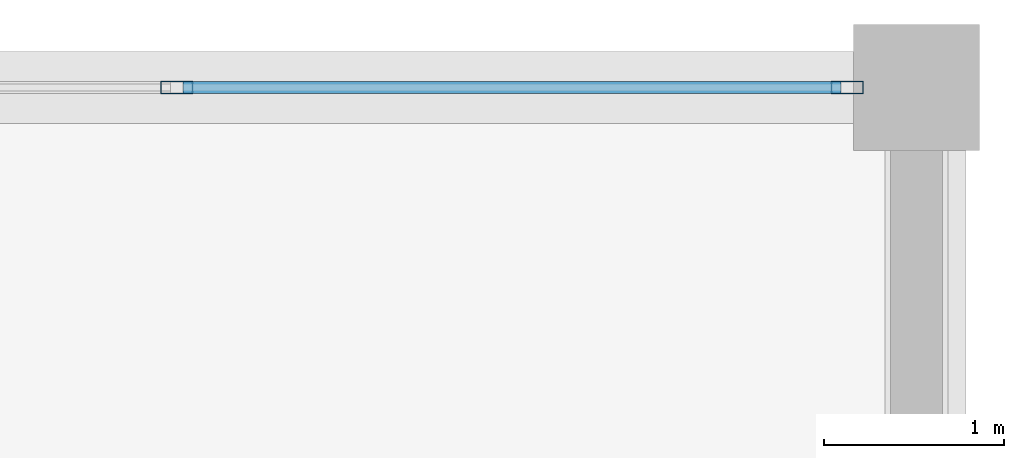
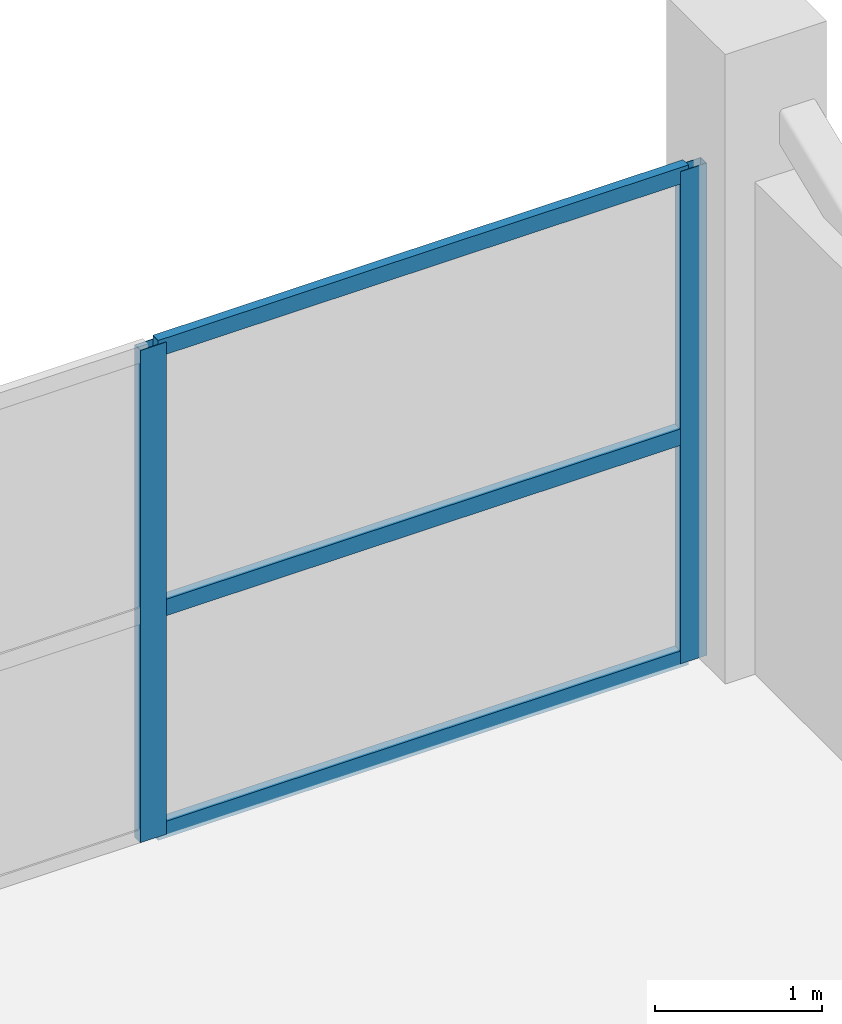
# One storey, part 50 of 69: 5 members, 1 element without a shape of its own.
"""IFC4 building model written with IfcOpenShell, lengths in metres."""

from ifc_helpers import new_model, si_unit, direction, frame, origin, origin_2d, place, context, subcontext, project, spatial, hollow_rectangle, extrude, material, layer, layer_set, material_profile, profile_set, type_object, element, aggregate, save


model = new_model("IFC4")

# Units and contexts
model_context = context("Model", 3, precision=1e-05, world=origin(), true_north=direction((0.0, 1.0)))
body_context = subcontext(model_context, "Body", "Model", "MODEL_VIEW")
ifc_project = project(units=[si_unit("LENGTHUNIT", "METRE"), si_unit("AREAUNIT", "SQUARE_METRE"), si_unit("VOLUMEUNIT", "CUBIC_METRE"), si_unit("PLANEANGLEUNIT", "RADIAN"), si_unit("MASSUNIT", "GRAM", prefix="KILO")], contexts=[model_context])

# Site, building, storey
site_placement = place(None, origin())
site = spatial("IfcSite", under=ifc_project, at=site_placement, CompositionType="ELEMENT")
building_placement = place(site_placement, origin())
building = spatial("IfcBuilding", under=site, at=building_placement, Name="Sillaruma Civic Art Gallery", CompositionType="ELEMENT")
storey_placement = place(building_placement, frame((0.0, 0.0, 42.330078125)))
storey = spatial("IfcBuildingStorey", under=building, at=storey_placement, Name="L08", CompositionType="ELEMENT", Elevation=42.330078125)

# Curtain wall, members
ifc_material = material(Name="Thermally Broken Extruded Aluminium 6063-T6", Category="aluminium")
ifc_layer = layer(ifc_material, 0.179931640625, Name="Thermally Broken Extruded Aluminium 6063-T6")
ifc_layer_set = layer_set([ifc_layer], Name="Thermally Broken Extruded Aluminium 6063-T6")
curtain_wall_type = type_object("IfcCurtainWallType", Name="CW-UNI-59", PredefinedType="NOTDEFINED", material=ifc_layer_set)
curtain_wall_placement = place(storey_placement, origin())
curtain_wall = element("IfcCurtainWall", 1, at=curtain_wall_placement, inside=storey, type_object=curtain_wall_type, Name="Unitised Curtain Wall CW-59 (CW-L08-EBN-2)", PredefinedType="NOTDEFINED")
ifc_material_profile_1 = material_profile(ifc_material, hollow_rectangle(XDim=0.070068359375, YDim=0.179931640625, WallThickness=0.00390625, at=origin_2d()), Name="CWM70x180")
ifc_profile_set_1 = profile_set([ifc_material_profile_1], Name="Thermally Broken Extruded Aluminium 6063-T6")
member_type_1 = type_object("IfcMemberType", Name="MEM-MUL-CWM70x180", PredefinedType="MULLION", material=ifc_profile_set_1)
member_1_placement = place(storey_placement, frame((110.28759765625, 99.0, 0.0), z_axis=(0.0, 0.0, 1.0), x_axis=(0.0, 1.0, 0.0)))
member_1 = element("IfcMember", 2, at=member_1_placement, type_object=member_type_1, Name="CW-59 mullion 2", PredefinedType="MULLION", context=body_context, shape_type="SweptSolid", body=[
    extrude(hollow_rectangle(XDim=0.070068359375, YDim=0.179931640625, WallThickness=0.00390625, at=origin_2d()), origin(), (0.0, 0.0, 1.0), 3.58984375),
])
member_2_placement = place(storey_placement, frame((114.014892578125, 99.0, 0.0), z_axis=(0.0, 0.0, 1.0), x_axis=(0.0, 1.0, 0.0)))
member_2 = element("IfcMember", 3, at=member_2_placement, type_object=member_type_1, Name="CW-59 mullion 3", PredefinedType="MULLION", context=body_context, shape_type="SweptSolid", body=[
    extrude(hollow_rectangle(XDim=0.070068359375, YDim=0.179931640625, WallThickness=0.00390625, at=origin_2d()), origin(), (0.0, 0.0, 1.0), 3.58984375),
])
ifc_material_profile_2 = material_profile(ifc_material, hollow_rectangle(XDim=0.06494140625, YDim=0.1201171875, WallThickness=0.00341796875, at=origin_2d()), Name="CWT65x120")
ifc_profile_set_2 = profile_set([ifc_material_profile_2], Name="Thermally Broken Extruded Aluminium 6063-T6")
member_type_2 = type_object("IfcMemberType", Name="MEM-TRN-CWT65x120", PredefinedType="USERDEFINED", material=ifc_profile_set_2)
member_3_placement = place(storey_placement, frame((110.322509765625, 99.0, 0.032470703125), z_axis=(1.0, 0.0, 0.0), x_axis=(0.0, 1.0, 0.0)))
member_3 = element("IfcMember", 4, at=member_3_placement, type_object=member_type_2, Name="CW-59 transom 2.1", ObjectType="TRANSOM", PredefinedType="USERDEFINED", context=body_context, shape_type="SweptSolid", body=[
    extrude(hollow_rectangle(XDim=0.06494140625, YDim=0.1201171875, WallThickness=0.00341796875, at=origin_2d()), origin(), (0.0, 0.0, 1.0), 3.657470703125),
])
member_4_placement = place(storey_placement, frame((110.322509765625, 99.0, 1.6513671875), z_axis=(1.0, 0.0, 0.0), x_axis=(0.0, 1.0, 0.0)))
member_4 = element("IfcMember", 5, at=member_4_placement, type_object=member_type_2, Name="CW-59 transom 2.2", ObjectType="TRANSOM", PredefinedType="USERDEFINED", context=body_context, shape_type="SweptSolid", body=[
    extrude(hollow_rectangle(XDim=0.06494140625, YDim=0.1201171875, WallThickness=0.00341796875, at=origin_2d()), origin(), (0.0, 0.0, 1.0), 3.657470703125),
])
member_5_placement = place(storey_placement, frame((110.322509765625, 99.0, 3.557373046875), z_axis=(1.0, 0.0, 0.0), x_axis=(0.0, 1.0, 0.0)))
member_5 = element("IfcMember", 6, at=member_5_placement, type_object=member_type_2, Name="CW-59 transom 2.3", ObjectType="TRANSOM", PredefinedType="USERDEFINED", context=body_context, shape_type="SweptSolid", body=[
    extrude(hollow_rectangle(XDim=0.06494140625, YDim=0.1201171875, WallThickness=0.00341796875, at=origin_2d()), origin(), (0.0, 0.0, 1.0), 3.657470703125),
])
aggregate(curtain_wall, [member_1, member_2, member_3, member_4, member_5])

save(model, "model.ifc")
